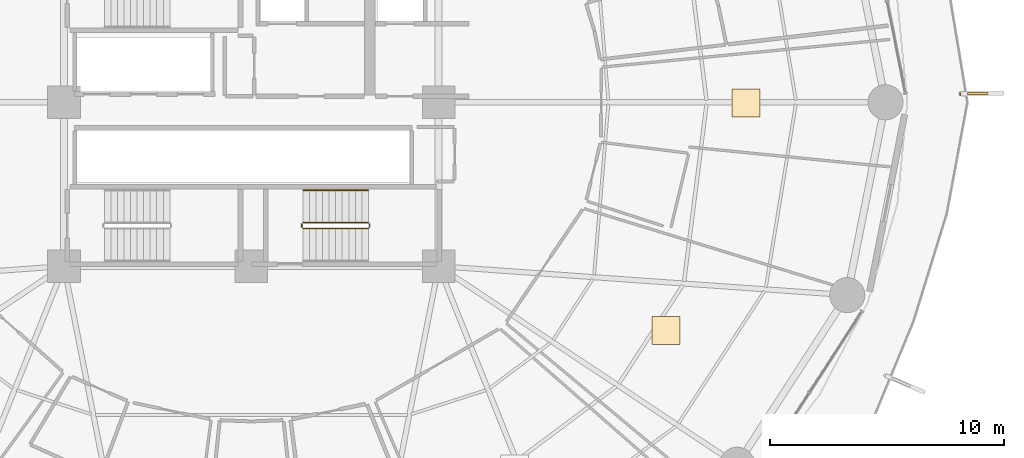
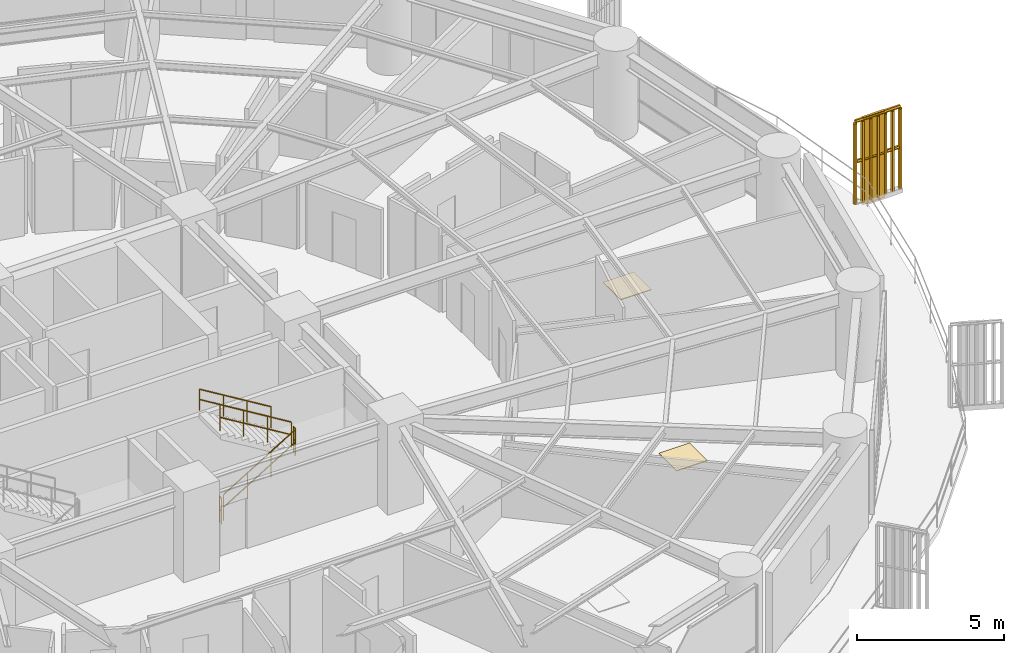
# One storey, part 30 of 32: 6 railings, 2 coverings, 1 shading device.
"""IFC4 building model written with IfcOpenShell, lengths in metres."""

from ifc_helpers import new_model, si_unit, direction, frame, origin, origin_2d, place, context, subcontext, project, spatial, polyline, rectangle, outline, extrude, source, transform, mapped, material, layer, layer_set, type_object, element, save


model = new_model("IFC4")

# Units and contexts
model_context = context("Model", 3, precision=1e-05, world=origin(), true_north=direction((0.0, 1.0)))
body_context = subcontext(model_context, "Body", "Model", "MODEL_VIEW")
ifc_project = project(units=[si_unit("LENGTHUNIT", "METRE"), si_unit("AREAUNIT", "SQUARE_METRE"), si_unit("VOLUMEUNIT", "CUBIC_METRE"), si_unit("PLANEANGLEUNIT", "RADIAN"), si_unit("MASSUNIT", "GRAM", prefix="KILO")], contexts=[model_context])

# Site, building, storey
site_placement = place(None, origin())
site = spatial("IfcSite", under=ifc_project, at=site_placement, CompositionType="ELEMENT")
building_placement = place(site_placement, origin())
building = spatial("IfcBuilding", under=site, at=building_placement, Name="Kelanora Arch Commons", CompositionType="ELEMENT")
storey_placement = place(building_placement, frame((0.0, 0.0, 48.75)))
storey = spatial("IfcBuildingStorey", under=building, at=storey_placement, Name="L12", CompositionType="ELEMENT", Elevation=48.75)

# Railings
ifc_material_1 = material(Name="Anodised bronze vertical shading fin rib assembly")
railing_type_1 = type_object("IfcRailingType", Name="RAIL-FIN-BRZ", PredefinedType="BALUSTRADE", material=ifc_material_1)
railing_1_placement = place(storey_placement, frame((104.29248046875, 58.36328125, -0.02001953125)))
element("IfcRailing", 1, at=railing_1_placement, inside=storey, type_object=railing_type_1, Name="Sweeping Bronze Vertical Fin Blade L12-14", PredefinedType="BALUSTRADE", context=body_context, shape_type="SweptSolid", body=[
    extrude(outline(polyline([(0.06982421875, 0.0), (0.034912109375, 0.060546875), (-0.034912109375, 0.060546875), (-0.06982421875, 0.0), (-0.034912109375, -0.060546875), (0.034912109375, -0.060546875), (0.06982421875, 0.0)])), frame((0.0, 0.0, 3.419921875), z_axis=(0.999927788841, 0.012017366712, 0.0), x_axis=(-0.012017366712, 0.999927788841, 0.0)), (0.0, 0.0, 1.0), 1.767578125),
    extrude(outline(polyline([(0.06982421875, 0.0), (0.034912109375, 0.060546875), (-0.034912109375, 0.060546875), (-0.06982421875, 0.0), (-0.034912109375, -0.060546875), (0.034912109375, -0.060546875), (0.06982421875, 0.0)])), frame((0.0, 0.0, 1.7451171875), z_axis=(0.999927788841, 0.012017366712, 0.0), x_axis=(-0.012017366712, 0.999927788841, 0.0)), (0.0, 0.0, 1.0), 1.767578125),
    extrude(outline(polyline([(0.080078125, 0.0), (0.0400390625, 0.0693359375), (-0.0400390625, 0.0693359375), (-0.080078125, 0.0), (-0.0400390625, -0.0693359375), (0.0400390625, -0.0693359375), (0.080078125, 0.0)])), origin(), (0.0, 0.0, 1.0), 3.35009765625),
    extrude(outline(polyline([(0.080078125, 0.0), (0.0400390625, 0.0693359375), (-0.0400390625, 0.0693359375), (-0.080078125, 0.0), (-0.0400390625, -0.0693359375), (0.0400390625, -0.0693359375), (0.080078125, 0.0)])), frame((0.29443359375, 0.00341796875, 0.0)), (0.0, 0.0, 1.0), 3.35009765625),
    extrude(outline(polyline([(0.080078125, 0.0), (0.0400390625, 0.0693359375), (-0.0400390625, 0.0693359375), (-0.080078125, 0.0), (-0.0400390625, -0.0693359375), (0.0400390625, -0.0693359375), (0.080078125, 0.0)])), frame((0.589111328125, 0.007080078125, 0.0)), (0.0, 0.0, 1.0), 3.35009765625),
    extrude(outline(polyline([(0.080078125, 0.0), (0.0400390625, 0.0693359375), (-0.0400390625, 0.0693359375), (-0.080078125, 0.0), (-0.0400390625, -0.0693359375), (0.0400390625, -0.0693359375), (0.080078125, 0.0)])), frame((0.8837890625, 0.0107421875, 0.0)), (0.0, 0.0, 1.0), 3.35009765625),
    extrude(outline(polyline([(0.080078125, 0.0), (0.0400390625, 0.0693359375), (-0.0400390625, 0.0693359375), (-0.080078125, 0.0), (-0.0400390625, -0.0693359375), (0.0400390625, -0.0693359375), (0.080078125, 0.0)])), frame((1.17822265625, 0.01416015625, 0.0)), (0.0, 0.0, 1.0), 3.35009765625),
    extrude(outline(polyline([(0.080078125, 0.0), (0.0400390625, 0.0693359375), (-0.0400390625, 0.0693359375), (-0.080078125, 0.0), (-0.0400390625, -0.0693359375), (0.0400390625, -0.0693359375), (0.080078125, 0.0)])), frame((1.47265625, 0.017578125, 0.0)), (0.0, 0.0, 1.0), 3.35009765625),
    extrude(outline(polyline([(0.080078125, 0.0), (0.0400390625, 0.0693359375), (-0.0400390625, 0.0693359375), (-0.080078125, 0.0), (-0.0400390625, -0.0693359375), (0.0400390625, -0.0693359375), (0.080078125, 0.0)])), frame((1.767333984375, 0.021240234375, 0.0)), (0.0, 0.0, 1.0), 3.35009765625),
])
ifc_material_2 = material(Name="Painted steel stair well guard", Category="steel")
railing_type_2 = type_object("IfcRailingType", Name="RAIL-STAIR-GRD", PredefinedType="GUARDRAIL", material=ifc_material_2)
railing_2_placement = place(storey_placement, frame((76.199951171875, 52.610107421875, 0.17041015625)))
element("IfcRailing", 2, at=railing_2_placement, inside=storey, type_object=railing_type_2, Name="L12 ST-T2 stair guard 1", PredefinedType="GUARDRAIL", context=body_context, shape_type="SweptSolid", body=[
    extrude(outline(polyline([(0.02392578125, 0.0), (0.011962890625, 0.020751953125), (-0.011962890625, 0.020751953125), (-0.02392578125, 0.0), (-0.011962890625, -0.020751953125), (0.011962890625, -0.020751953125), (0.02392578125, 0.0)])), frame((0.0, 0.0, 1.076171875), z_axis=(0.854169791009, 0.0, 0.51999420009), x_axis=(0.0, 1.0, 0.0)), (0.0, 0.0, 1.0), 3.278076171875),
    extrude(outline(polyline([(0.02392578125, 0.0), (0.011962890625, 0.020751953125), (-0.011962890625, 0.020751953125), (-0.02392578125, 0.0), (-0.011962890625, -0.020751953125), (0.011962890625, -0.020751953125), (0.02392578125, 0.0)])), frame((0.0, 0.0, 0.550048828125), z_axis=(0.854169791009, 0.0, 0.51999420009), x_axis=(0.0, 1.0, 0.0)), (0.0, 0.0, 1.0), 3.278076171875),
    extrude(outline(polyline([(0.02099609375, 0.0), (0.010498046875, 0.01806640625), (-0.010498046875, 0.01806640625), (-0.02099609375, 0.0), (-0.010498046875, -0.01806640625), (0.010498046875, -0.01806640625), (0.02099609375, 0.0)])), origin(), (0.0, 0.0, 1.0), 1.052001953125),
    extrude(outline(polyline([(0.02099609375, 0.0), (0.010498046875, 0.01806640625), (-0.010498046875, 0.01806640625), (-0.02099609375, 0.0), (-0.010498046875, -0.01806640625), (0.010498046875, -0.01806640625), (0.02099609375, 0.0)])), frame((0.933349609375, 0.0, 0.568115234375)), (0.0, 0.0, 1.0), 1.052001953125),
    extrude(outline(polyline([(0.02099609375, 0.0), (0.010498046875, 0.01806640625), (-0.010498046875, 0.01806640625), (-0.02099609375, 0.0), (-0.010498046875, -0.01806640625), (0.010498046875, -0.01806640625), (0.02099609375, 0.0)])), frame((1.86669921875, 0.0, 1.136474609375)), (0.0, 0.0, 1.0), 1.052001953125),
    extrude(outline(polyline([(0.02099609375, 0.0), (0.010498046875, 0.01806640625), (-0.010498046875, 0.01806640625), (-0.02099609375, 0.0), (-0.010498046875, -0.01806640625), (0.010498046875, -0.01806640625), (0.02099609375, 0.0)])), frame((2.800048828125, 0.0, 1.70458984375)), (0.0, 0.0, 1.0), 1.052001953125),
])
railing_3_placement = place(storey_placement, frame((79.050048828125, 52.659912109375, 1.875)))
element("IfcRailing", 3, at=railing_3_placement, inside=storey, type_object=railing_type_2, Name="L12 ST-T2 stair guard 2", PredefinedType="GUARDRAIL", context=body_context, shape_type="SweptSolid", body=[
    extrude(outline(polyline([(0.02392578125, 0.0), (0.011962890625, 0.020751953125), (-0.011962890625, 0.020751953125), (-0.02392578125, 0.0), (-0.011962890625, -0.020751953125), (0.011962890625, -0.020751953125), (0.02392578125, 0.0)])), frame((0.0, 0.0, 1.076171875), z_axis=(0.0, 1.0, 0.0), x_axis=(-1.0, 0.0, 0.0)), (0.0, 0.0, 1.0), 0.150146484375),
    extrude(outline(polyline([(0.02392578125, 0.0), (0.011962890625, 0.020751953125), (-0.011962890625, 0.020751953125), (-0.02392578125, 0.0), (-0.011962890625, -0.020751953125), (0.011962890625, -0.020751953125), (0.02392578125, 0.0)])), frame((0.0, 0.0, 0.550048828125), z_axis=(0.0, 1.0, 0.0), x_axis=(-1.0, 0.0, 0.0)), (0.0, 0.0, 1.0), 0.150146484375),
    extrude(outline(polyline([(0.02099609375, 0.0), (0.010498046875, 0.01806640625), (-0.010498046875, 0.01806640625), (-0.02099609375, 0.0), (-0.010498046875, -0.01806640625), (0.010498046875, -0.01806640625), (0.02099609375, 0.0)])), origin(), (0.0, 0.0, 1.0), 1.052001953125),
    extrude(outline(polyline([(0.02099609375, 0.0), (0.010498046875, 0.01806640625), (-0.010498046875, 0.01806640625), (-0.02099609375, 0.0), (-0.010498046875, -0.01806640625), (0.010498046875, -0.01806640625), (0.02099609375, 0.0)])), frame((0.0, 0.150146484375, 0.0)), (0.0, 0.0, 1.0), 1.052001953125),
])
railing_4_placement = place(storey_placement, frame((79.0, 52.860107421875, 2.04541015625)))
element("IfcRailing", 4, at=railing_4_placement, inside=storey, type_object=railing_type_2, Name="L12 ST-T2 stair guard 3", PredefinedType="GUARDRAIL", context=body_context, shape_type="SweptSolid", body=[
    extrude(outline(polyline([(0.02392578125, 0.0), (0.011962890625, 0.020751953125), (-0.011962890625, 0.020751953125), (-0.02392578125, 0.0), (-0.011962890625, -0.020751953125), (0.011962890625, -0.020751953125), (0.02392578125, 0.0)])), frame((0.0, 0.0, 1.076171875), z_axis=(-0.854169791009, 0.0, 0.51999420009), x_axis=(0.0, -1.0, 0.0)), (0.0, 0.0, 1.0), 3.278076171875),
    extrude(outline(polyline([(0.02392578125, 0.0), (0.011962890625, 0.020751953125), (-0.011962890625, 0.020751953125), (-0.02392578125, 0.0), (-0.011962890625, -0.020751953125), (0.011962890625, -0.020751953125), (0.02392578125, 0.0)])), frame((0.0, 0.0, 0.550048828125), z_axis=(-0.854169791009, 0.0, 0.51999420009), x_axis=(0.0, -1.0, 0.0)), (0.0, 0.0, 1.0), 3.278076171875),
    extrude(outline(polyline([(0.02099609375, 0.0), (0.010498046875, 0.01806640625), (-0.010498046875, 0.01806640625), (-0.02099609375, 0.0), (-0.010498046875, -0.01806640625), (0.010498046875, -0.01806640625), (0.02099609375, 0.0)])), origin(), (0.0, 0.0, 1.0), 1.052001953125),
    extrude(outline(polyline([(0.02099609375, 0.0), (0.010498046875, 0.01806640625), (-0.010498046875, 0.01806640625), (-0.02099609375, 0.0), (-0.010498046875, -0.01806640625), (0.010498046875, -0.01806640625), (0.02099609375, 0.0)])), frame((-0.933349609375, 0.0, 0.568115234375)), (0.0, 0.0, 1.0), 1.052001953125),
    extrude(outline(polyline([(0.02099609375, 0.0), (0.010498046875, 0.01806640625), (-0.010498046875, 0.01806640625), (-0.02099609375, 0.0), (-0.010498046875, -0.01806640625), (0.010498046875, -0.01806640625), (0.02099609375, 0.0)])), frame((-1.86669921875, 0.0, 1.136474609375)), (0.0, 0.0, 1.0), 1.052001953125),
    extrude(outline(polyline([(0.02099609375, 0.0), (0.010498046875, 0.01806640625), (-0.010498046875, 0.01806640625), (-0.02099609375, 0.0), (-0.010498046875, -0.01806640625), (0.010498046875, -0.01806640625), (0.02099609375, 0.0)])), frame((-2.800048828125, 0.0, 1.70458984375)), (0.0, 0.0, 1.0), 1.052001953125),
])
railing_5_placement = place(storey_placement, frame((76.14990234375, 52.659912109375, 0.0)))
element("IfcRailing", 5, at=railing_5_placement, inside=storey, type_object=railing_type_2, Name="L12 ST-T2 stair guard 4", PredefinedType="GUARDRAIL", context=body_context, shape_type="SweptSolid", body=[
    extrude(outline(polyline([(0.02392578125, 0.0), (0.011962890625, 0.020751953125), (-0.011962890625, 0.020751953125), (-0.02392578125, 0.0), (-0.011962890625, -0.020751953125), (0.011962890625, -0.020751953125), (0.02392578125, 0.0)])), frame((0.0, 0.0, 1.076171875), z_axis=(0.0, 1.0, 0.0), x_axis=(-1.0, 0.0, 0.0)), (0.0, 0.0, 1.0), 0.150146484375),
    extrude(outline(polyline([(0.02392578125, 0.0), (0.011962890625, 0.020751953125), (-0.011962890625, 0.020751953125), (-0.02392578125, 0.0), (-0.011962890625, -0.020751953125), (0.011962890625, -0.020751953125), (0.02392578125, 0.0)])), frame((0.0, 0.0, 0.550048828125), z_axis=(0.0, 1.0, 0.0), x_axis=(-1.0, 0.0, 0.0)), (0.0, 0.0, 1.0), 0.150146484375),
    extrude(outline(polyline([(0.02099609375, 0.0), (0.010498046875, 0.01806640625), (-0.010498046875, 0.01806640625), (-0.02099609375, 0.0), (-0.010498046875, -0.01806640625), (0.010498046875, -0.01806640625), (0.02099609375, 0.0)])), origin(), (0.0, 0.0, 1.0), 1.052001953125),
    extrude(outline(polyline([(0.02099609375, 0.0), (0.010498046875, 0.01806640625), (-0.010498046875, 0.01806640625), (-0.02099609375, 0.0), (-0.010498046875, -0.01806640625), (0.010498046875, -0.01806640625), (0.02099609375, 0.0)])), frame((0.0, 0.150146484375, 0.0)), (0.0, 0.0, 1.0), 1.052001953125),
])
ifc_material_3 = material(Name="Brushed stainless steel stair handrail", Category="steel")
railing_type_3 = type_object("IfcRailingType", Name="RAIL-STAIR-HND", PredefinedType="HANDRAIL", material=ifc_material_3)
railing_6_placement = place(storey_placement, frame((79.0, 54.239990234375, 2.04541015625)))
element("IfcRailing", 6, at=railing_6_placement, inside=storey, type_object=railing_type_3, Name="L12 ST-T2 stair handrail 2", PredefinedType="HANDRAIL", context=body_context, shape_type="SweptSolid", body=[
    extrude(outline(polyline([(0.02392578125, 0.0), (0.011962890625, 0.020751953125), (-0.011962890625, 0.020751953125), (-0.02392578125, 0.0), (-0.011962890625, -0.020751953125), (0.011962890625, -0.020751953125), (0.02392578125, 0.0)])), frame((0.0, 0.0, 0.8759765625), z_axis=(-0.854169791009, 0.0, 0.51999420009), x_axis=(0.0, -1.0, 0.0)), (0.0, 0.0, 1.0), 3.278076171875),
    extrude(outline(polyline([(0.02392578125, 0.0), (0.011962890625, 0.020751953125), (-0.011962890625, 0.020751953125), (-0.02392578125, 0.0), (-0.011962890625, -0.020751953125), (0.011962890625, -0.020751953125), (0.02392578125, 0.0)])), frame((0.0, 0.0, 0.449951171875), z_axis=(-0.854169791009, 0.0, 0.51999420009), x_axis=(0.0, -1.0, 0.0)), (0.0, 0.0, 1.0), 3.278076171875),
    extrude(outline(polyline([(0.02099609375, 0.0), (0.010498046875, 0.01806640625), (-0.010498046875, 0.01806640625), (-0.02099609375, 0.0), (-0.010498046875, -0.01806640625), (0.010498046875, -0.01806640625), (0.02099609375, 0.0)])), origin(), (0.0, 0.0, 1.0), 0.851806640625),
    extrude(outline(polyline([(0.02099609375, 0.0), (0.010498046875, 0.01806640625), (-0.010498046875, 0.01806640625), (-0.02099609375, 0.0), (-0.010498046875, -0.01806640625), (0.010498046875, -0.01806640625), (0.02099609375, 0.0)])), frame((-0.933349609375, 0.0, 0.568115234375)), (0.0, 0.0, 1.0), 0.851806640625),
    extrude(outline(polyline([(0.02099609375, 0.0), (0.010498046875, 0.01806640625), (-0.010498046875, 0.01806640625), (-0.02099609375, 0.0), (-0.010498046875, -0.01806640625), (0.010498046875, -0.01806640625), (0.02099609375, 0.0)])), frame((-1.86669921875, 0.0, 1.136474609375)), (0.0, 0.0, 1.0), 0.851806640625),
    extrude(outline(polyline([(0.02099609375, 0.0), (0.010498046875, 0.01806640625), (-0.010498046875, 0.01806640625), (-0.02099609375, 0.0), (-0.010498046875, -0.01806640625), (0.010498046875, -0.01806640625), (0.02099609375, 0.0)])), frame((-2.800048828125, 0.0, 1.70458984375)), (0.0, 0.0, 1.0), 0.851806640625),
])

# Shading device
ifc_material_4 = material(Name="Terracotta ceramic-clad extruded aluminium fin", Category="masonry")
shading_device_type = type_object("IfcShadingDeviceType", Name="SHD-FIN-FLARE", PredefinedType="USERDEFINED", material=ifc_material_4)
shared_shape_1 = source(origin(), body_context, "Body", "SweptSolid", [
    extrude(rectangle(XDim=0.8798828125, YDim=0.090087890625, at=origin_2d()), origin(), (0.0, 0.0, 1.0), 3.610107421875),
])
shading_device_placement = place(storey_placement, frame((105.012451171875, 58.371826171875, -0.14013671875), z_axis=(0.0, 0.0, 1.0), x_axis=(0.9999274867, 0.01204248075, 0.0)))
element("IfcShadingDevice", 7, at=shading_device_placement, inside=storey, type_object=shading_device_type, Name="Sweeping Terracotta Fin L12-14", ObjectType="FIN", PredefinedType="USERDEFINED", context=body_context, shape_type="MappedRepresentation", body=[
    mapped(shared_shape_1, transform((0.0, 0.0, 0.0), scale=1.0)),
])

# Coverings
ifc_material_5 = material(Name="Polished local granite terrazzo flooring", Category="masonry")
ifc_layer = layer(ifc_material_5, 0.030029296875)
ifc_layer_set = layer_set([ifc_layer], Name="Polished local granite terrazzo flooring")
covering_type = type_object("IfcCoveringType", Name="COV-FLR-TER", PredefinedType="FLOORING", material=ifc_layer_set)
shared_shape_2 = source(origin(), body_context, "Body", "SweptSolid", [
    extrude(rectangle(XDim=1.199951171875, YDim=1.199951171875, at=origin_2d()), origin(), (0.0, 0.0, 1.0), 0.030029296875),
])
for number, where, z_axis, x_axis, name in (
    (8, (91.702880859375, 48.2470703125, 0.0), (0.0, 0.0, 1.0), (1.0, 0.0, 0.0), "Quiet Seminar Study Room L12-13 Terrazzo Finish"),
    (9, (95.122802734375, 57.97021484375, 0.0), (0.0, 0.0, 1.0), (1.0, 0.0, 0.0), "Quiet Reading Carrel L12-14 Terrazzo Finish"),
):
    element("IfcCovering", number, at=place(storey_placement, frame(where, z_axis=z_axis, x_axis=x_axis)), inside=storey, type_object=covering_type, Name=name, PredefinedType="FLOORING", context=body_context, shape_type="MappedRepresentation", body=[
        mapped(shared_shape_2, transform((0.0, 0.0, 0.0), scale=1.0)),
    ])

save(model, "model.ifc")
